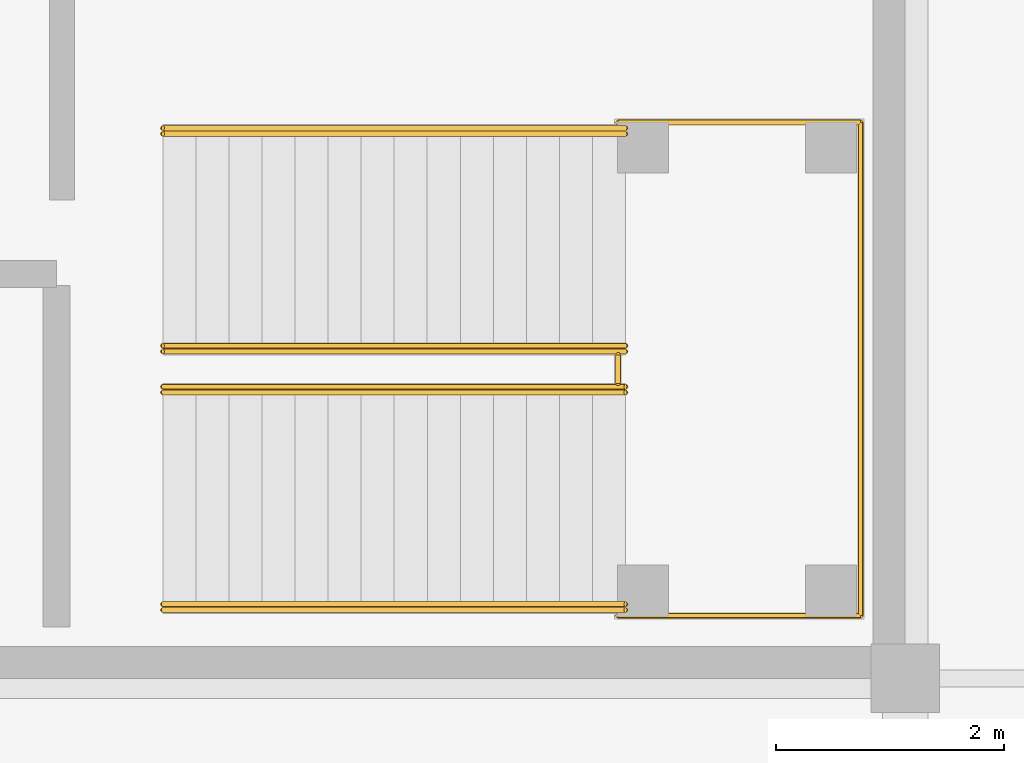
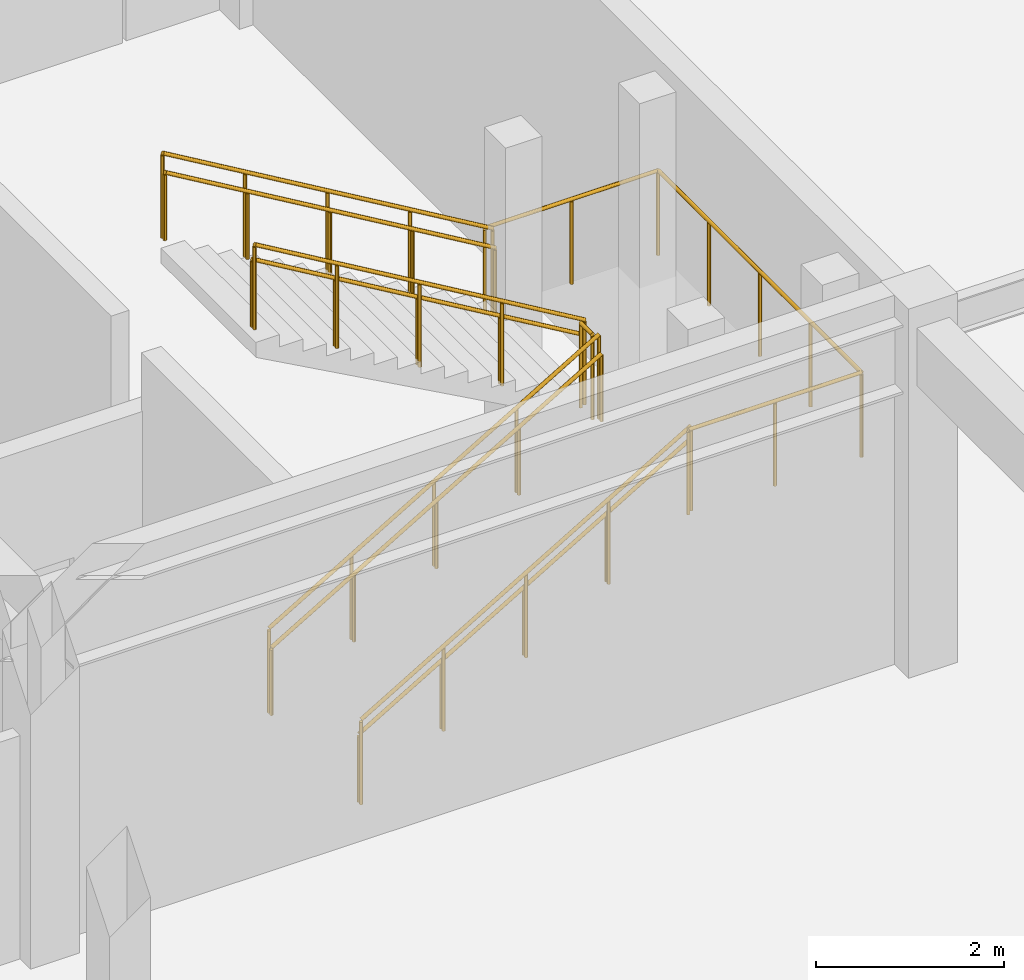
# One storey, part 80 of 82: 10 railings.
"""IFC4 building model written with IfcOpenShell, lengths in metres."""

from ifc_helpers import new_model, si_unit, direction, frame, origin, origin_2d, place, context, subcontext, project, spatial, circle, extrude, material, type_object, element, save


model = new_model("IFC4")

# Units and contexts
model_context = context("Model", 3, precision=1e-05, world=origin(), true_north=direction((0.0, 1.0)))
body_context = subcontext(model_context, "Body", "Model", "MODEL_VIEW")
ifc_project = project(units=[si_unit("LENGTHUNIT", "METRE"), si_unit("AREAUNIT", "SQUARE_METRE"), si_unit("VOLUMEUNIT", "CUBIC_METRE"), si_unit("PLANEANGLEUNIT", "RADIAN"), si_unit("MASSUNIT", "GRAM", prefix="KILO")], contexts=[model_context])

# Site, building, storey
site_placement = place(None, origin())
site = spatial("IfcSite", under=ifc_project, at=site_placement, CompositionType="ELEMENT")
building_placement = place(site_placement, origin())
building = spatial("IfcBuilding", under=site, at=building_placement, Name="Suirenkawa Promenade Aquatics Centre", CompositionType="ELEMENT")
storey_placement = place(building_placement, origin())
storey = spatial("IfcBuildingStorey", under=building, at=storey_placement, Name="L00", CompositionType="ELEMENT", Elevation=0.0)

# Railings
ifc_material = material(Name="Marine-grade stainless steel Grade 316L", Category="steel")
railing_type_1 = type_object("IfcRailingType", Name="RLT-GUARD-1120", PredefinedType="GUARDRAIL", material=ifc_material)
for number, where, name in (
    (1, (137.485107421875, 108.60009765625, 0.0), "Guardrail GRD-01 RL-0131"),
    (2, (137.485107421875, 110.56005859375, 0.0), "Guardrail GRD-01 RL-0133"),
):
    element("IfcRailing", number, at=place(storey_placement, frame(where)), inside=storey, type_object=railing_type_1, Name=name, PredefinedType="GUARDRAIL", context=body_context, shape_type="SweptSolid", body=[
        extrude(circle(Radius=0.02392578125, at=origin_2d()), frame((0.0, 0.0, 1.09619140625), z_axis=(0.860840976868, 0.0, 0.508874063541), x_axis=(0.0, 1.0, 0.0)), (0.0, 0.0, 1.0), 4.716064453125),
        extrude(circle(Radius=0.02099609375, at=origin_2d()), origin(), (0.0, 0.0, 1.0), 1.072021484375),
        extrude(circle(Radius=0.02099609375, at=origin_2d()), frame((1.014892578125, 0.0, 0.60009765625)), (0.0, 0.0, 1.0), 1.072021484375),
        extrude(circle(Radius=0.02099609375, at=origin_2d()), frame((2.02978515625, 0.0, 1.199951171875)), (0.0, 0.0, 1.0), 1.072021484375),
        extrude(circle(Radius=0.02099609375, at=origin_2d()), frame((3.044921875, 0.0, 1.7998046875)), (0.0, 0.0, 1.0), 1.072021484375),
        extrude(circle(Radius=0.02099609375, at=origin_2d()), frame((4.059814453125, 0.0, 2.39990234375)), (0.0, 0.0, 1.0), 1.072021484375),
    ])
for number, where, name in (
    (3, (141.544921875, 112.830078125, 2.39990234375), "Guardrail GRD-01 RL-0135"),
    (4, (141.544921875, 110.8701171875, 2.39990234375), "Guardrail GRD-01 RL-0137"),
):
    element("IfcRailing", number, at=place(storey_placement, frame(where)), inside=storey, type_object=railing_type_1, Name=name, PredefinedType="GUARDRAIL", context=body_context, shape_type="SweptSolid", body=[
        extrude(circle(Radius=0.02392578125, at=origin_2d()), frame((0.0, 0.0, 1.09619140625), z_axis=(-0.860818299379, 0.0, 0.50891242415), x_axis=(0.0, -1.0, 0.0)), (0.0, 0.0, 1.0), 4.71630859375),
        extrude(circle(Radius=0.02099609375, at=origin_2d()), origin(), (0.0, 0.0, 1.0), 1.072021484375),
        extrude(circle(Radius=0.02099609375, at=origin_2d()), frame((-1.014892578125, 0.0, 0.60009765625)), (0.0, 0.0, 1.0), 1.072021484375),
        extrude(circle(Radius=0.02099609375, at=origin_2d()), frame((-2.02978515625, 0.0, 1.2001953125)), (0.0, 0.0, 1.0), 1.072021484375),
        extrude(circle(Radius=0.02099609375, at=origin_2d()), frame((-3.044921875, 0.0, 1.800048828125)), (0.0, 0.0, 1.0), 1.072021484375),
        extrude(circle(Radius=0.02099609375, at=origin_2d()), frame((-4.059814453125, 0.0, 2.400146484375)), (0.0, 0.0, 1.0), 1.072021484375),
    ])
railing_1_placement = place(storey_placement, frame((141.47998046875, 108.550048828125, 2.39990234375)))
element("IfcRailing", 5, at=railing_1_placement, inside=storey, type_object=railing_type_1, Name="Guardrail GRD-01 RL-0139", PredefinedType="GUARDRAIL", context=body_context, shape_type="SweptSolid", body=[
    extrude(circle(Radius=0.02392578125, at=origin_2d()), frame((0.0, 0.0, 1.09619140625), z_axis=(1.0, 0.0, 0.0), x_axis=(0.0, 1.0, 0.0)), (0.0, 0.0, 1.0), 2.130126953125),
    extrude(circle(Radius=0.02392578125, at=origin_2d()), frame((2.130126953125, 0.0, 1.09619140625), z_axis=(0.0, 1.0, 0.0), x_axis=(-1.0, 0.0, 0.0)), (0.0, 0.0, 1.0), 4.329833984375),
    extrude(circle(Radius=0.02392578125, at=origin_2d()), frame((2.130126953125, 4.329833984375, 1.09619140625), z_axis=(-1.0, 0.0, 0.0), x_axis=(0.0, -1.0, 0.0)), (0.0, 0.0, 1.0), 2.130126953125),
    extrude(circle(Radius=0.02099609375, at=origin_2d()), origin(), (0.0, 0.0, 1.0), 1.072021484375),
    extrude(circle(Radius=0.02099609375, at=origin_2d()), frame((1.06494140625, 0.0, 0.0)), (0.0, 0.0, 1.0), 1.072021484375),
    extrude(circle(Radius=0.02099609375, at=origin_2d()), frame((2.130126953125, 0.0, 0.0)), (0.0, 0.0, 1.0), 1.072021484375),
    extrude(circle(Radius=0.02099609375, at=origin_2d()), frame((2.130126953125, 1.08251953125, 0.0)), (0.0, 0.0, 1.0), 1.072021484375),
    extrude(circle(Radius=0.02099609375, at=origin_2d()), frame((2.130126953125, 2.1650390625, 0.0)), (0.0, 0.0, 1.0), 1.072021484375),
    extrude(circle(Radius=0.02099609375, at=origin_2d()), frame((2.130126953125, 3.247314453125, 0.0)), (0.0, 0.0, 1.0), 1.072021484375),
    extrude(circle(Radius=0.02099609375, at=origin_2d()), frame((2.130126953125, 4.329833984375, 0.0)), (0.0, 0.0, 1.0), 1.072021484375),
    extrude(circle(Radius=0.02099609375, at=origin_2d()), frame((1.06494140625, 4.329833984375, 0.0)), (0.0, 0.0, 1.0), 1.072021484375),
    extrude(circle(Radius=0.02099609375, at=origin_2d()), frame((0.0, 4.329833984375, 0.0)), (0.0, 0.0, 1.0), 1.072021484375),
])
railing_2_placement = place(storey_placement, frame((141.47998046875, 110.590087890625, 2.39990234375)))
element("IfcRailing", 6, at=railing_2_placement, inside=storey, type_object=railing_type_1, Name="Guardrail GRD-01 RL-0140", PredefinedType="GUARDRAIL", context=body_context, shape_type="SweptSolid", body=[
    extrude(circle(Radius=0.02392578125, at=origin_2d()), frame((0.0, 0.0, 1.09619140625), z_axis=(0.0, 1.0, 0.0), x_axis=(-1.0, 0.0, 0.0)), (0.0, 0.0, 1.0), 0.25),
    extrude(circle(Radius=0.02099609375, at=origin_2d()), origin(), (0.0, 0.0, 1.0), 1.072021484375),
    extrude(circle(Radius=0.02099609375, at=origin_2d()), frame((0.0, 0.25, 0.0)), (0.0, 0.0, 1.0), 1.072021484375),
])
railing_type_2 = type_object("IfcRailingType", Name="RLT-HANDRAIL-900", PredefinedType="HANDRAIL", material=ifc_material)
for number, where, name in (
    (7, (137.485107421875, 108.64990234375, 0.0), "Handrail HRL-01 RL-0132"),
    (8, (137.485107421875, 110.510009765625, 0.0), "Handrail HRL-01 RL-0134"),
):
    element("IfcRailing", number, at=place(storey_placement, frame(where)), inside=storey, type_object=railing_type_2, Name=name, PredefinedType="HANDRAIL", context=body_context, shape_type="SweptSolid", body=[
        extrude(circle(Radius=0.02392578125, at=origin_2d()), frame((0.0, 0.0, 0.8759765625), z_axis=(0.860840976868, 0.0, 0.508874063541), x_axis=(0.0, 1.0, 0.0)), (0.0, 0.0, 1.0), 4.716064453125),
        extrude(circle(Radius=0.02099609375, at=origin_2d()), origin(), (0.0, 0.0, 1.0), 0.851806640625),
        extrude(circle(Radius=0.02099609375, at=origin_2d()), frame((1.014892578125, 0.0, 0.60009765625)), (0.0, 0.0, 1.0), 0.851806640625),
        extrude(circle(Radius=0.02099609375, at=origin_2d()), frame((2.02978515625, 0.0, 1.199951171875)), (0.0, 0.0, 1.0), 0.851806640625),
        extrude(circle(Radius=0.02099609375, at=origin_2d()), frame((3.044921875, 0.0, 1.7998046875)), (0.0, 0.0, 1.0), 0.851806640625),
        extrude(circle(Radius=0.02099609375, at=origin_2d()), frame((4.059814453125, 0.0, 2.39990234375)), (0.0, 0.0, 1.0), 0.851806640625),
    ])
for number, where, name in (
    (9, (141.544921875, 112.780029296875, 2.39990234375), "Handrail HRL-01 RL-0136"),
    (10, (141.544921875, 110.919921875, 2.39990234375), "Handrail HRL-01 RL-0138"),
):
    element("IfcRailing", number, at=place(storey_placement, frame(where)), inside=storey, type_object=railing_type_2, Name=name, PredefinedType="HANDRAIL", context=body_context, shape_type="SweptSolid", body=[
        extrude(circle(Radius=0.02392578125, at=origin_2d()), frame((0.0, 0.0, 0.8759765625), z_axis=(-0.860818299379, 0.0, 0.50891242415), x_axis=(0.0, -1.0, 0.0)), (0.0, 0.0, 1.0), 4.71630859375),
        extrude(circle(Radius=0.02099609375, at=origin_2d()), origin(), (0.0, 0.0, 1.0), 0.851806640625),
        extrude(circle(Radius=0.02099609375, at=origin_2d()), frame((-1.014892578125, 0.0, 0.60009765625)), (0.0, 0.0, 1.0), 0.851806640625),
        extrude(circle(Radius=0.02099609375, at=origin_2d()), frame((-2.02978515625, 0.0, 1.2001953125)), (0.0, 0.0, 1.0), 0.851806640625),
        extrude(circle(Radius=0.02099609375, at=origin_2d()), frame((-3.044921875, 0.0, 1.800048828125)), (0.0, 0.0, 1.0), 0.851806640625),
        extrude(circle(Radius=0.02099609375, at=origin_2d()), frame((-4.059814453125, 0.0, 2.400146484375)), (0.0, 0.0, 1.0), 0.851806640625),
    ])

save(model, "model.ifc")
